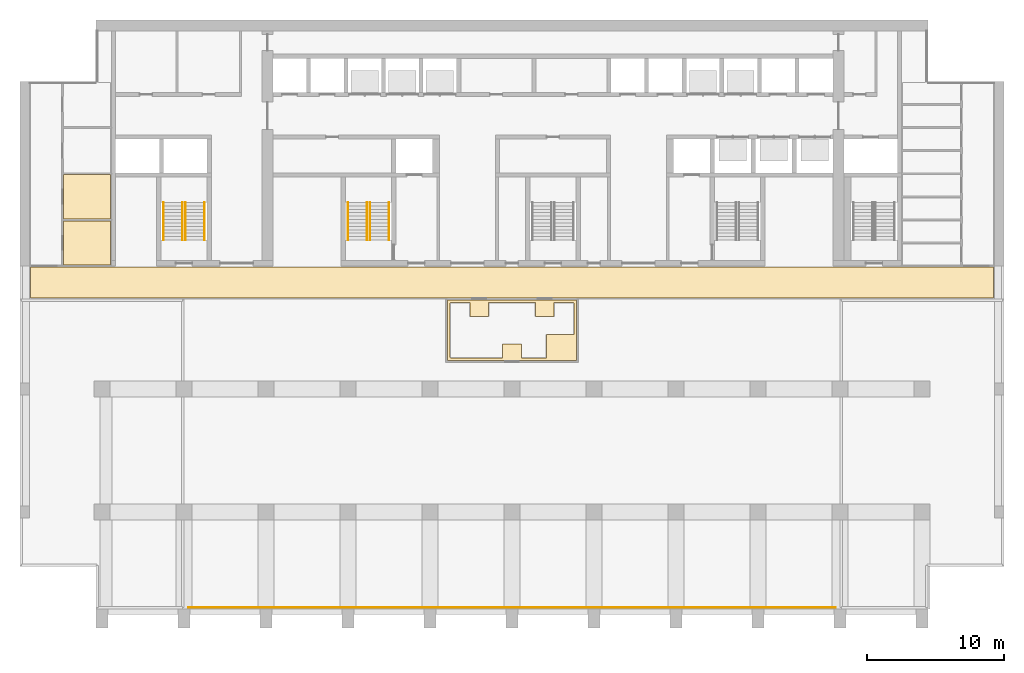
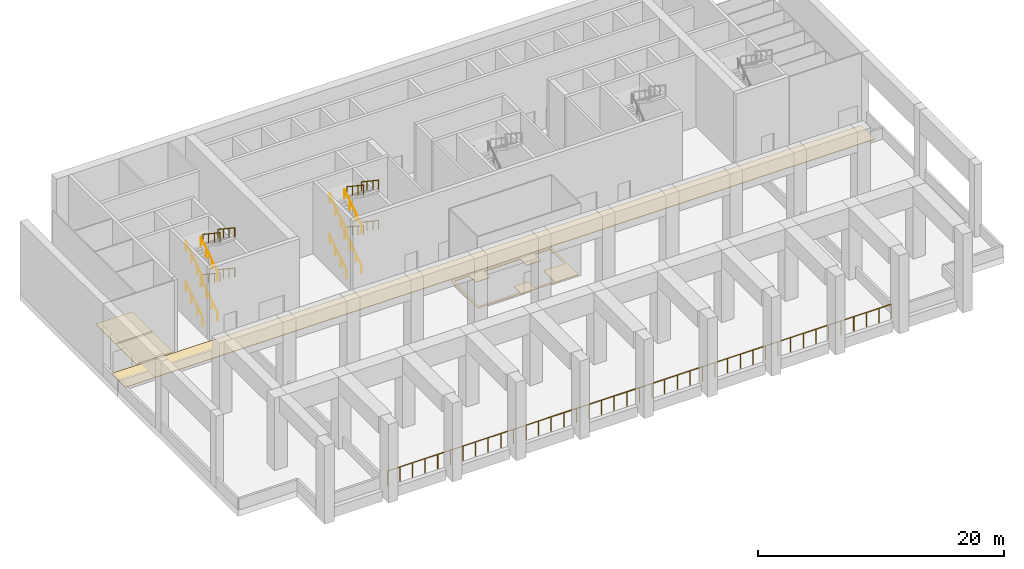
# One storey, part 7 of 10: 17 railings, 4 coverings, 2 elements without a shape of their own.
"""IFC4 building model written with IfcOpenShell, lengths in metres."""

from ifc_helpers import new_model, si_unit, direction, frame, origin, origin_2d, place, context, subcontext, project, spatial, polyline, circle, outline, extrude, material, layer, layer_set, type_object, element, aggregate, save


model = new_model("IFC4")

# Units and contexts
model_context = context("Model", 3, precision=1e-05, world=origin(), true_north=direction((0.0, 1.0)))
body_context = subcontext(model_context, "Body", "Model", "MODEL_VIEW")
ifc_project = project(units=[si_unit("LENGTHUNIT", "METRE"), si_unit("AREAUNIT", "SQUARE_METRE"), si_unit("VOLUMEUNIT", "CUBIC_METRE"), si_unit("PLANEANGLEUNIT", "RADIAN"), si_unit("MASSUNIT", "GRAM", prefix="KILO")], contexts=[model_context])

# Site, building, storey
site_placement = place(None, origin())
site = spatial("IfcSite", under=ifc_project, at=site_placement, CompositionType="ELEMENT")
building_placement = place(site_placement, origin())
building = spatial("IfcBuilding", under=site, at=building_placement, Name="Calvaro Tower", CompositionType="ELEMENT")
storey_placement = place(building_placement, frame((0.0, 0.0, 158.75)))
storey = spatial("IfcBuildingStorey", under=building, at=storey_placement, Name="L40", CompositionType="ELEMENT", Elevation=158.75)

# Coverings
ifc_material_1 = material(Name="Cement screed with carpet tile finish")
ifc_layer = layer(ifc_material_1, 0.050048828125)
ifc_layer_set = layer_set([ifc_layer], Name="Cement screed with carpet tile finish")
covering_type = type_object("IfcCoveringType", Name="Floor finish 50", PredefinedType="FLOORING", material=ifc_layer_set)
covering_1_placement = place(storey_placement, origin())
element("IfcCovering", 1, at=covering_1_placement, inside=storey, type_object=covering_type, Name="Floor finish 24.01", PredefinedType="FLOORING", context=body_context, shape_type="SweptSolid", body=[
    extrude(outline(polyline([(0.77001953125, 25.669921875), (0.77001953125, 27.929931640625), (71.22998046875, 27.929931640625), (71.22998046875, 25.669921875), (0.77001953125, 25.669921875)])), origin(), (0.0, 0.0, 1.0), 0.050048828125),
])
covering_2_placement = place(storey_placement, origin())
element("IfcCovering", 2, at=covering_2_placement, inside=storey, type_object=covering_type, Name="Floor finish 24.09", PredefinedType="FLOORING", context=body_context, shape_type="SweptSolid", body=[
    extrude(outline(polyline([(31.27001953125, 25.530029296875), (40.72998046875, 25.530029296875), (40.72998046875, 21.070068359375), (31.27001953125, 21.070068359375), (31.27001953125, 25.530029296875)]), holes=[polyline([(31.5, 25.320068359375), (31.498046875, 25.31982421875), (31.49609375, 25.319580078125), (31.494140625, 25.319091796875), (31.4921875, 25.318603515625), (31.490478515625, 25.317626953125), (31.489013671875, 25.316650390625), (31.4873046875, 25.3154296875), (31.48583984375, 25.314208984375), (31.484619140625, 25.312744140625), (31.4833984375, 25.31103515625), (31.482421875, 25.309326171875), (31.4814453125, 25.3076171875), (31.48095703125, 25.305908203125), (31.48046875, 25.303955078125), (31.47998046875, 25.302001953125), (31.47998046875, 25.300048828125), (31.47998046875, 21.300048828125), (31.47998046875, 21.298095703125), (31.48046875, 21.296142578125), (31.48095703125, 21.294189453125), (31.4814453125, 21.292236328125), (31.482421875, 21.29052734375), (31.4833984375, 21.288818359375), (31.484619140625, 21.287353515625), (31.48583984375, 21.285888671875), (31.4873046875, 21.284423828125), (31.489013671875, 21.283447265625), (31.490478515625, 21.282470703125), (31.4921875, 21.281494140625), (31.494140625, 21.281005859375), (31.49609375, 21.280517578125), (31.498046875, 21.280029296875), (31.5, 21.280029296875), (35.300048828125, 21.280029296875), (35.302001953125, 21.280029296875), (35.303955078125, 21.280517578125), (35.305908203125, 21.281005859375), (35.3076171875, 21.281494140625), (35.309326171875, 21.282470703125), (35.31103515625, 21.283447265625), (35.312744140625, 21.284423828125), (35.314208984375, 21.285888671875), (35.3154296875, 21.287353515625), (35.316650390625, 21.288818359375), (35.317626953125, 21.29052734375), (35.318603515625, 21.292236328125), (35.319091796875, 21.294189453125), (35.319580078125, 21.296142578125), (35.31982421875, 21.298095703125), (35.320068359375, 21.300048828125), (35.320068359375, 22.280029296875), (36.679931640625, 22.280029296875), (36.679931640625, 21.300048828125), (36.68017578125, 21.298095703125), (36.680419921875, 21.296142578125), (36.680908203125, 21.294189453125), (36.681396484375, 21.292236328125), (36.682373046875, 21.29052734375), (36.683349609375, 21.288818359375), (36.6845703125, 21.287353515625), (36.685791015625, 21.285888671875), (36.687255859375, 21.284423828125), (36.68896484375, 21.283447265625), (36.690673828125, 21.282470703125), (36.6923828125, 21.281494140625), (36.694091796875, 21.281005859375), (36.696044921875, 21.280517578125), (36.697998046875, 21.280029296875), (36.699951171875, 21.280029296875), (38.5, 21.280029296875), (38.501953125, 21.280029296875), (38.50390625, 21.280517578125), (38.505859375, 21.281005859375), (38.5078125, 21.281494140625), (38.509521484375, 21.282470703125), (38.510986328125, 21.283447265625), (38.5126953125, 21.284423828125), (38.51416015625, 21.285888671875), (38.515380859375, 21.287353515625), (38.5166015625, 21.288818359375), (38.517578125, 21.29052734375), (38.5185546875, 21.292236328125), (38.51904296875, 21.294189453125), (38.51953125, 21.296142578125), (38.52001953125, 21.298095703125), (38.52001953125, 21.300048828125), (38.52001953125, 22.97998046875), (40.5, 22.97998046875), (40.501953125, 22.97998046875), (40.50390625, 22.98046875), (40.505859375, 22.98095703125), (40.5078125, 22.9814453125), (40.509521484375, 22.982421875), (40.510986328125, 22.9833984375), (40.5126953125, 22.984619140625), (40.51416015625, 22.98583984375), (40.515380859375, 22.9873046875), (40.5166015625, 22.989013671875), (40.517578125, 22.990478515625), (40.5185546875, 22.9921875), (40.51904296875, 22.994140625), (40.51953125, 22.99609375), (40.52001953125, 22.998046875), (40.52001953125, 23.0), (40.52001953125, 25.300048828125), (40.52001953125, 25.302001953125), (40.51953125, 25.303955078125), (40.51904296875, 25.305908203125), (40.5185546875, 25.3076171875), (40.517578125, 25.309326171875), (40.5166015625, 25.31103515625), (40.515380859375, 25.312744140625), (40.51416015625, 25.314208984375), (40.5126953125, 25.3154296875), (40.510986328125, 25.316650390625), (40.509521484375, 25.317626953125), (40.5078125, 25.318603515625), (40.505859375, 25.319091796875), (40.50390625, 25.319580078125), (40.501953125, 25.31982421875), (40.5, 25.320068359375), (39.10009765625, 25.320068359375), (39.097900390625, 25.31982421875), (39.09619140625, 25.319580078125), (39.09423828125, 25.319091796875), (39.09228515625, 25.318603515625), (39.090576171875, 25.317626953125), (39.0888671875, 25.316650390625), (39.08740234375, 25.3154296875), (39.0859375, 25.314208984375), (39.08447265625, 25.312744140625), (39.08349609375, 25.31103515625), (39.08251953125, 25.309326171875), (39.08154296875, 25.3076171875), (39.080810546875, 25.305908203125), (39.080322265625, 25.303955078125), (39.080078125, 25.302001953125), (39.080078125, 25.300048828125), (39.080078125, 24.320068359375), (37.719970703125, 24.320068359375), (37.719970703125, 25.300048828125), (37.719970703125, 25.302001953125), (37.719482421875, 25.303955078125), (37.718994140625, 25.305908203125), (37.718505859375, 25.3076171875), (37.717529296875, 25.309326171875), (37.716552734375, 25.31103515625), (37.715576171875, 25.312744140625), (37.714111328125, 25.314208984375), (37.712646484375, 25.3154296875), (37.711181640625, 25.316650390625), (37.70947265625, 25.317626953125), (37.707763671875, 25.318603515625), (37.705810546875, 25.319091796875), (37.703857421875, 25.319580078125), (37.701904296875, 25.31982421875), (37.699951171875, 25.320068359375), (34.300048828125, 25.320068359375), (34.298095703125, 25.31982421875), (34.296142578125, 25.319580078125), (34.294189453125, 25.319091796875), (34.292236328125, 25.318603515625), (34.29052734375, 25.317626953125), (34.288818359375, 25.316650390625), (34.287353515625, 25.3154296875), (34.285888671875, 25.314208984375), (34.284423828125, 25.312744140625), (34.283447265625, 25.31103515625), (34.282470703125, 25.309326171875), (34.281494140625, 25.3076171875), (34.281005859375, 25.305908203125), (34.280517578125, 25.303955078125), (34.280029296875, 25.302001953125), (34.280029296875, 25.300048828125), (34.280029296875, 24.320068359375), (32.919921875, 24.320068359375), (32.919921875, 25.300048828125), (32.919921875, 25.302001953125), (32.919677734375, 25.303955078125), (32.919189453125, 25.305908203125), (32.91845703125, 25.3076171875), (32.91748046875, 25.309326171875), (32.91650390625, 25.31103515625), (32.91552734375, 25.312744140625), (32.9140625, 25.314208984375), (32.91259765625, 25.3154296875), (32.9111328125, 25.316650390625), (32.909423828125, 25.317626953125), (32.90771484375, 25.318603515625), (32.90576171875, 25.319091796875), (32.90380859375, 25.319580078125), (32.902099609375, 25.31982421875), (32.89990234375, 25.320068359375), (31.5, 25.320068359375)])]), origin(), (0.0, 0.0, 1.0), 0.050048828125),
])
covering_3_placement = place(storey_placement, origin())
element("IfcCovering", 3, at=covering_3_placement, inside=storey, type_object=covering_type, Name="Floor finish 24.11", PredefinedType="FLOORING", context=body_context, shape_type="SweptSolid", body=[
    extrude(outline(polyline([(3.169921875, 31.31005859375), (6.6298828125, 31.31005859375), (6.6298828125, 28.070068359375), (3.169921875, 28.070068359375), (3.169921875, 31.31005859375)])), origin(), (0.0, 0.0, 1.0), 0.050048828125),
])
covering_4_placement = place(storey_placement, origin())
element("IfcCovering", 4, at=covering_4_placement, inside=storey, type_object=covering_type, Name="Floor finish 24.14", PredefinedType="FLOORING", context=body_context, shape_type="SweptSolid", body=[
    extrude(outline(polyline([(3.169921875, 34.679931640625), (6.6298828125, 34.679931640625), (6.6298828125, 31.449951171875), (3.169921875, 31.449951171875), (3.169921875, 34.679931640625)])), origin(), (0.0, 0.0, 1.0), 0.050048828125),
])

# Railing
ifc_material_2 = material(Name="Stainless steel", Category="steel")
railing_type_1 = type_object("IfcRailingType", Name="Guard 1450", PredefinedType="GUARDRAIL", material=ifc_material_2)
railing_1_placement = place(storey_placement, frame((59.699951171875, 3.0, 0.0)))
element("IfcRailing", 5, at=railing_1_placement, inside=storey, type_object=railing_type_1, Name="Edge guard", PredefinedType="GUARDRAIL", context=body_context, shape_type="SweptSolid", body=[
    extrude(circle(Radius=0.02392578125, at=origin_2d()), frame((0.0, 0.0, 1.42578125), z_axis=(-1.0, 0.0, 0.0), x_axis=(0.0, -1.0, 0.0)), (0.0, 0.0, 1.0), 47.39990234375),
    extrude(circle(Radius=0.02099609375, at=origin_2d()), frame((-0.02099609375, 0.0, 0.0)), (0.0, 0.0, 1.0), 1.40185546875),
    extrude(circle(Radius=0.02099609375, at=origin_2d()), frame((-1.18505859375, 0.0, 0.0)), (0.0, 0.0, 1.0), 1.40185546875),
    extrude(circle(Radius=0.02099609375, at=origin_2d()), frame((-2.3701171875, 0.0, 0.0)), (0.0, 0.0, 1.0), 1.40185546875),
    extrude(circle(Radius=0.02099609375, at=origin_2d()), frame((-3.554931640625, 0.0, 0.0)), (0.0, 0.0, 1.0), 1.40185546875),
    extrude(circle(Radius=0.02099609375, at=origin_2d()), frame((-4.739990234375, 0.0, 0.0)), (0.0, 0.0, 1.0), 1.40185546875),
    extrude(circle(Radius=0.02099609375, at=origin_2d()), frame((-5.925048828125, 0.0, 0.0)), (0.0, 0.0, 1.0), 1.40185546875),
    extrude(circle(Radius=0.02099609375, at=origin_2d()), frame((-7.10986328125, 0.0, 0.0)), (0.0, 0.0, 1.0), 1.40185546875),
    extrude(circle(Radius=0.02099609375, at=origin_2d()), frame((-8.294921875, 0.0, 0.0)), (0.0, 0.0, 1.0), 1.40185546875),
    extrude(circle(Radius=0.02099609375, at=origin_2d()), frame((-9.47998046875, 0.0, 0.0)), (0.0, 0.0, 1.0), 1.40185546875),
    extrude(circle(Radius=0.02099609375, at=origin_2d()), frame((-10.6650390625, 0.0, 0.0)), (0.0, 0.0, 1.0), 1.40185546875),
    extrude(circle(Radius=0.02099609375, at=origin_2d()), frame((-11.85009765625, 0.0, 0.0)), (0.0, 0.0, 1.0), 1.40185546875),
    extrude(circle(Radius=0.02099609375, at=origin_2d()), frame((-13.034912109375, 0.0, 0.0)), (0.0, 0.0, 1.0), 1.40185546875),
    extrude(circle(Radius=0.02099609375, at=origin_2d()), frame((-14.219970703125, 0.0, 0.0)), (0.0, 0.0, 1.0), 1.40185546875),
    extrude(circle(Radius=0.02099609375, at=origin_2d()), frame((-15.405029296875, 0.0, 0.0)), (0.0, 0.0, 1.0), 1.40185546875),
    extrude(circle(Radius=0.02099609375, at=origin_2d()), frame((-16.58984375, 0.0, 0.0)), (0.0, 0.0, 1.0), 1.40185546875),
    extrude(circle(Radius=0.02099609375, at=origin_2d()), frame((-17.77490234375, 0.0, 0.0)), (0.0, 0.0, 1.0), 1.40185546875),
    extrude(circle(Radius=0.02099609375, at=origin_2d()), frame((-18.9599609375, 0.0, 0.0)), (0.0, 0.0, 1.0), 1.40185546875),
    extrude(circle(Radius=0.02099609375, at=origin_2d()), frame((-20.14501953125, 0.0, 0.0)), (0.0, 0.0, 1.0), 1.40185546875),
    extrude(circle(Radius=0.02099609375, at=origin_2d()), frame((-21.330078125, 0.0, 0.0)), (0.0, 0.0, 1.0), 1.40185546875),
    extrude(circle(Radius=0.02099609375, at=origin_2d()), frame((-22.514892578125, 0.0, 0.0)), (0.0, 0.0, 1.0), 1.40185546875),
    extrude(circle(Radius=0.02099609375, at=origin_2d()), frame((-23.699951171875, 0.0, 0.0)), (0.0, 0.0, 1.0), 1.40185546875),
    extrude(circle(Radius=0.02099609375, at=origin_2d()), frame((-24.885009765625, 0.0, 0.0)), (0.0, 0.0, 1.0), 1.40185546875),
    extrude(circle(Radius=0.02099609375, at=origin_2d()), frame((-26.070068359375, 0.0, 0.0)), (0.0, 0.0, 1.0), 1.40185546875),
    extrude(circle(Radius=0.02099609375, at=origin_2d()), frame((-27.2548828125, 0.0, 0.0)), (0.0, 0.0, 1.0), 1.40185546875),
    extrude(circle(Radius=0.02099609375, at=origin_2d()), frame((-28.43994140625, 0.0, 0.0)), (0.0, 0.0, 1.0), 1.40185546875),
    extrude(circle(Radius=0.02099609375, at=origin_2d()), frame((-29.625, 0.0, 0.0)), (0.0, 0.0, 1.0), 1.40185546875),
    extrude(circle(Radius=0.02099609375, at=origin_2d()), frame((-30.81005859375, 0.0, 0.0)), (0.0, 0.0, 1.0), 1.40185546875),
    extrude(circle(Radius=0.02099609375, at=origin_2d()), frame((-31.994873046875, 0.0, 0.0)), (0.0, 0.0, 1.0), 1.40185546875),
    extrude(circle(Radius=0.02099609375, at=origin_2d()), frame((-33.179931640625, 0.0, 0.0)), (0.0, 0.0, 1.0), 1.40185546875),
    extrude(circle(Radius=0.02099609375, at=origin_2d()), frame((-34.364990234375, 0.0, 0.0)), (0.0, 0.0, 1.0), 1.40185546875),
    extrude(circle(Radius=0.02099609375, at=origin_2d()), frame((-35.5498046875, 0.0, 0.0)), (0.0, 0.0, 1.0), 1.40185546875),
    extrude(circle(Radius=0.02099609375, at=origin_2d()), frame((-36.73486328125, 0.0, 0.0)), (0.0, 0.0, 1.0), 1.40185546875),
    extrude(circle(Radius=0.02099609375, at=origin_2d()), frame((-37.919921875, 0.0, 0.0)), (0.0, 0.0, 1.0), 1.40185546875),
    extrude(circle(Radius=0.02099609375, at=origin_2d()), frame((-39.10498046875, 0.0, 0.0)), (0.0, 0.0, 1.0), 1.40185546875),
    extrude(circle(Radius=0.02099609375, at=origin_2d()), frame((-40.2900390625, 0.0, 0.0)), (0.0, 0.0, 1.0), 1.40185546875),
    extrude(circle(Radius=0.02099609375, at=origin_2d()), frame((-41.474853515625, 0.0, 0.0)), (0.0, 0.0, 1.0), 1.40185546875),
    extrude(circle(Radius=0.02099609375, at=origin_2d()), frame((-42.659912109375, 0.0, 0.0)), (0.0, 0.0, 1.0), 1.40185546875),
    extrude(circle(Radius=0.02099609375, at=origin_2d()), frame((-43.844970703125, 0.0, 0.0)), (0.0, 0.0, 1.0), 1.40185546875),
    extrude(circle(Radius=0.02099609375, at=origin_2d()), frame((-45.02978515625, 0.0, 0.0)), (0.0, 0.0, 1.0), 1.40185546875),
    extrude(circle(Radius=0.02099609375, at=origin_2d()), frame((-46.21484375, 0.0, 0.0)), (0.0, 0.0, 1.0), 1.40185546875),
    extrude(circle(Radius=0.02099609375, at=origin_2d()), frame((-47.37890625, 0.0, 0.0)), (0.0, 0.0, 1.0), 1.40185546875),
])

# Stair, railings
ifc_material_3 = material(Name="Concrete C40/50", Category="concrete")
stair_type = type_object("IfcStairType", Name="Exit stair 1400 4 flights", PredefinedType="DOUBLE_RETURN_STAIR", material=ifc_material_3)
stair_1_placement = place(storey_placement, origin())
stair_1 = element("IfcStair", 6, at=stair_1_placement, inside=storey, type_object=stair_type, Name="Exit stair S1", PredefinedType="DOUBLE_RETURN_STAIR")
ifc_material_4 = material(Name="Stainless steel", Category="steel")
railing_type_2 = type_object("IfcRailingType", Name="Stair handrail", PredefinedType="HANDRAIL", material=ifc_material_4)
railing_2_placement = place(storey_placement, frame((11.89990234375, 29.89990234375, 0.166748046875)))
railing_2 = element("IfcRailing", 7, at=railing_2_placement, type_object=railing_type_2, Name="Exit stair 1 handrail", PredefinedType="HANDRAIL", context=body_context, shape_type="SweptSolid", body=[
    extrude(circle(Radius=0.02392578125, at=origin_2d()), frame((0.0, 0.0, 0.8759765625), z_axis=(0.0, 0.832061658642, 0.554683149391), x_axis=(-1.0, 0.0, 0.0)), (0.0, 0.0, 1.0), 3.304931640625),
    extrude(circle(Radius=0.02099609375, at=origin_2d()), frame((0.0, 0.017578125, 0.01171875)), (0.0, 0.0, 1.0), 0.851806640625),
    extrude(circle(Radius=0.02099609375, at=origin_2d()), frame((0.0, 0.916748046875, 0.611083984375)), (0.0, 0.0, 1.0), 0.851806640625),
    extrude(circle(Radius=0.02099609375, at=origin_2d()), frame((0.0, 1.833251953125, 1.22216796875)), (0.0, 0.0, 1.0), 0.851806640625),
    extrude(circle(Radius=0.02099609375, at=origin_2d()), frame((0.0, 2.732421875, 1.821533203125)), (0.0, 0.0, 1.0), 0.851806640625),
])
railing_3_placement = place(storey_placement, frame((10.5, 29.89990234375, 0.166748046875)))
railing_3 = element("IfcRailing", 8, at=railing_3_placement, type_object=railing_type_2, Name="Exit stair 1 handrail", PredefinedType="HANDRAIL", context=body_context, shape_type="SweptSolid", body=[
    extrude(circle(Radius=0.02392578125, at=origin_2d()), frame((0.0, 0.0, 0.8759765625), z_axis=(0.0, 0.832061658642, 0.554683149391), x_axis=(-1.0, 0.0, 0.0)), (0.0, 0.0, 1.0), 3.304931640625),
    extrude(circle(Radius=0.02099609375, at=origin_2d()), frame((0.0, 0.017578125, 0.01171875)), (0.0, 0.0, 1.0), 0.851806640625),
    extrude(circle(Radius=0.02099609375, at=origin_2d()), frame((0.0, 0.916748046875, 0.611083984375)), (0.0, 0.0, 1.0), 0.851806640625),
    extrude(circle(Radius=0.02099609375, at=origin_2d()), frame((0.0, 1.833251953125, 1.22216796875)), (0.0, 0.0, 1.0), 0.851806640625),
    extrude(circle(Radius=0.02099609375, at=origin_2d()), frame((0.0, 2.732421875, 1.821533203125)), (0.0, 0.0, 1.0), 0.851806640625),
])
railing_4_placement = place(storey_placement, frame((12.10009765625, 32.64990234375, 2.166748046875)))
railing_4 = element("IfcRailing", 9, at=railing_4_placement, type_object=railing_type_2, Name="Exit stair 1 handrail", PredefinedType="HANDRAIL", context=body_context, shape_type="SweptSolid", body=[
    extrude(circle(Radius=0.02392578125, at=origin_2d()), frame((0.0, 0.0, 0.8759765625), z_axis=(0.0, -0.832061658642, 0.554683149391), x_axis=(1.0, 0.0, 0.0)), (0.0, 0.0, 1.0), 3.304931640625),
    extrude(circle(Radius=0.02099609375, at=origin_2d()), frame((0.0, -0.017578125, 0.01171875)), (0.0, 0.0, 1.0), 0.851806640625),
    extrude(circle(Radius=0.02099609375, at=origin_2d()), frame((0.0, -0.916748046875, 0.611083984375)), (0.0, 0.0, 1.0), 0.851806640625),
    extrude(circle(Radius=0.02099609375, at=origin_2d()), frame((0.0, -1.833251953125, 1.22216796875)), (0.0, 0.0, 1.0), 0.851806640625),
    extrude(circle(Radius=0.02099609375, at=origin_2d()), frame((0.0, -2.732421875, 1.821533203125)), (0.0, 0.0, 1.0), 0.851806640625),
])
railing_5_placement = place(storey_placement, frame((13.5, 32.64990234375, 2.166748046875)))
railing_5 = element("IfcRailing", 10, at=railing_5_placement, type_object=railing_type_2, Name="Exit stair 1 handrail", PredefinedType="HANDRAIL", context=body_context, shape_type="SweptSolid", body=[
    extrude(circle(Radius=0.02392578125, at=origin_2d()), frame((0.0, 0.0, 0.8759765625), z_axis=(0.0, -0.832061658642, 0.554683149391), x_axis=(1.0, 0.0, 0.0)), (0.0, 0.0, 1.0), 3.304931640625),
    extrude(circle(Radius=0.02099609375, at=origin_2d()), frame((0.0, -0.017578125, 0.01171875)), (0.0, 0.0, 1.0), 0.851806640625),
    extrude(circle(Radius=0.02099609375, at=origin_2d()), frame((0.0, -0.916748046875, 0.611083984375)), (0.0, 0.0, 1.0), 0.851806640625),
    extrude(circle(Radius=0.02099609375, at=origin_2d()), frame((0.0, -1.833251953125, 1.22216796875)), (0.0, 0.0, 1.0), 0.851806640625),
    extrude(circle(Radius=0.02099609375, at=origin_2d()), frame((0.0, -2.732421875, 1.821533203125)), (0.0, 0.0, 1.0), 0.851806640625),
])
railing_6_placement = place(storey_placement, frame((11.89990234375, 29.89990234375, 4.166748046875)))
railing_6 = element("IfcRailing", 11, at=railing_6_placement, type_object=railing_type_2, Name="Exit stair 1 handrail", PredefinedType="HANDRAIL", context=body_context, shape_type="SweptSolid", body=[
    extrude(circle(Radius=0.02392578125, at=origin_2d()), frame((0.0, 0.0, 0.8759765625), z_axis=(0.0, 0.832061658642, 0.554683149391), x_axis=(-1.0, 0.0, 0.0)), (0.0, 0.0, 1.0), 3.304931640625),
    extrude(circle(Radius=0.02099609375, at=origin_2d()), frame((0.0, 0.017578125, 0.01171875)), (0.0, 0.0, 1.0), 0.851806640625),
    extrude(circle(Radius=0.02099609375, at=origin_2d()), frame((0.0, 0.916748046875, 0.611083984375)), (0.0, 0.0, 1.0), 0.851806640625),
    extrude(circle(Radius=0.02099609375, at=origin_2d()), frame((0.0, 1.833251953125, 1.22216796875)), (0.0, 0.0, 1.0), 0.851806640625),
    extrude(circle(Radius=0.02099609375, at=origin_2d()), frame((0.0, 2.732421875, 1.821533203125)), (0.0, 0.0, 1.0), 0.851806640625),
])
railing_7_placement = place(storey_placement, frame((10.5, 29.89990234375, 4.166748046875)))
railing_7 = element("IfcRailing", 12, at=railing_7_placement, type_object=railing_type_2, Name="Exit stair 1 handrail", PredefinedType="HANDRAIL", context=body_context, shape_type="SweptSolid", body=[
    extrude(circle(Radius=0.02392578125, at=origin_2d()), frame((0.0, 0.0, 0.8759765625), z_axis=(0.0, 0.832061658642, 0.554683149391), x_axis=(-1.0, 0.0, 0.0)), (0.0, 0.0, 1.0), 3.304931640625),
    extrude(circle(Radius=0.02099609375, at=origin_2d()), frame((0.0, 0.017578125, 0.01171875)), (0.0, 0.0, 1.0), 0.851806640625),
    extrude(circle(Radius=0.02099609375, at=origin_2d()), frame((0.0, 0.916748046875, 0.611083984375)), (0.0, 0.0, 1.0), 0.851806640625),
    extrude(circle(Radius=0.02099609375, at=origin_2d()), frame((0.0, 1.833251953125, 1.22216796875)), (0.0, 0.0, 1.0), 0.851806640625),
    extrude(circle(Radius=0.02099609375, at=origin_2d()), frame((0.0, 2.732421875, 1.821533203125)), (0.0, 0.0, 1.0), 0.851806640625),
])
railing_8_placement = place(storey_placement, frame((12.10009765625, 32.64990234375, 6.166748046875)))
railing_8 = element("IfcRailing", 13, at=railing_8_placement, type_object=railing_type_2, Name="Exit stair 1 handrail", PredefinedType="HANDRAIL", context=body_context, shape_type="SweptSolid", body=[
    extrude(circle(Radius=0.02392578125, at=origin_2d()), frame((0.0, 0.0, 0.8759765625), z_axis=(0.0, -0.832061658642, 0.554683149391), x_axis=(1.0, 0.0, 0.0)), (0.0, 0.0, 1.0), 3.304931640625),
    extrude(circle(Radius=0.02099609375, at=origin_2d()), frame((0.0, -0.017578125, 0.01171875)), (0.0, 0.0, 1.0), 0.851806640625),
    extrude(circle(Radius=0.02099609375, at=origin_2d()), frame((0.0, -0.916748046875, 0.611083984375)), (0.0, 0.0, 1.0), 0.851806640625),
    extrude(circle(Radius=0.02099609375, at=origin_2d()), frame((0.0, -1.833251953125, 1.22216796875)), (0.0, 0.0, 1.0), 0.851806640625),
    extrude(circle(Radius=0.02099609375, at=origin_2d()), frame((0.0, -2.732421875, 1.821533203125)), (0.0, 0.0, 1.0), 0.851806640625),
])
railing_9_placement = place(storey_placement, frame((13.5, 32.64990234375, 6.166748046875)))
railing_9 = element("IfcRailing", 14, at=railing_9_placement, type_object=railing_type_2, Name="Exit stair 1 handrail", PredefinedType="HANDRAIL", context=body_context, shape_type="SweptSolid", body=[
    extrude(circle(Radius=0.02392578125, at=origin_2d()), frame((0.0, 0.0, 0.8759765625), z_axis=(0.0, -0.832061658642, 0.554683149391), x_axis=(1.0, 0.0, 0.0)), (0.0, 0.0, 1.0), 3.304931640625),
    extrude(circle(Radius=0.02099609375, at=origin_2d()), frame((0.0, -0.017578125, 0.01171875)), (0.0, 0.0, 1.0), 0.851806640625),
    extrude(circle(Radius=0.02099609375, at=origin_2d()), frame((0.0, -0.916748046875, 0.611083984375)), (0.0, 0.0, 1.0), 0.851806640625),
    extrude(circle(Radius=0.02099609375, at=origin_2d()), frame((0.0, -1.833251953125, 1.22216796875)), (0.0, 0.0, 1.0), 0.851806640625),
    extrude(circle(Radius=0.02099609375, at=origin_2d()), frame((0.0, -2.732421875, 1.821533203125)), (0.0, 0.0, 1.0), 0.851806640625),
])
aggregate(stair_1, [railing_2, railing_3, railing_4, railing_5, railing_6, railing_7, railing_8, railing_9])

stair_2_placement = place(storey_placement, origin())
stair_2 = element("IfcStair", 15, at=stair_2_placement, inside=storey, type_object=stair_type, Name="Exit stair S2", PredefinedType="DOUBLE_RETURN_STAIR")
railing_10_placement = place(storey_placement, frame((25.39990234375, 29.89990234375, 0.166748046875)))
railing_10 = element("IfcRailing", 16, at=railing_10_placement, type_object=railing_type_2, Name="Exit stair 2 handrail", PredefinedType="HANDRAIL", context=body_context, shape_type="SweptSolid", body=[
    extrude(circle(Radius=0.02392578125, at=origin_2d()), frame((0.0, 0.0, 0.8759765625), z_axis=(0.0, 0.832061658642, 0.554683149391), x_axis=(-1.0, 0.0, 0.0)), (0.0, 0.0, 1.0), 3.304931640625),
    extrude(circle(Radius=0.02099609375, at=origin_2d()), frame((0.0, 0.017578125, 0.01171875)), (0.0, 0.0, 1.0), 0.851806640625),
    extrude(circle(Radius=0.02099609375, at=origin_2d()), frame((0.0, 0.916748046875, 0.611083984375)), (0.0, 0.0, 1.0), 0.851806640625),
    extrude(circle(Radius=0.02099609375, at=origin_2d()), frame((0.0, 1.833251953125, 1.22216796875)), (0.0, 0.0, 1.0), 0.851806640625),
    extrude(circle(Radius=0.02099609375, at=origin_2d()), frame((0.0, 2.732421875, 1.821533203125)), (0.0, 0.0, 1.0), 0.851806640625),
])
railing_11_placement = place(storey_placement, frame((24.0, 29.89990234375, 0.166748046875)))
railing_11 = element("IfcRailing", 17, at=railing_11_placement, type_object=railing_type_2, Name="Exit stair 2 handrail", PredefinedType="HANDRAIL", context=body_context, shape_type="SweptSolid", body=[
    extrude(circle(Radius=0.02392578125, at=origin_2d()), frame((0.0, 0.0, 0.8759765625), z_axis=(0.0, 0.832061658642, 0.554683149391), x_axis=(-1.0, 0.0, 0.0)), (0.0, 0.0, 1.0), 3.304931640625),
    extrude(circle(Radius=0.02099609375, at=origin_2d()), frame((0.0, 0.017578125, 0.01171875)), (0.0, 0.0, 1.0), 0.851806640625),
    extrude(circle(Radius=0.02099609375, at=origin_2d()), frame((0.0, 0.916748046875, 0.611083984375)), (0.0, 0.0, 1.0), 0.851806640625),
    extrude(circle(Radius=0.02099609375, at=origin_2d()), frame((0.0, 1.833251953125, 1.22216796875)), (0.0, 0.0, 1.0), 0.851806640625),
    extrude(circle(Radius=0.02099609375, at=origin_2d()), frame((0.0, 2.732421875, 1.821533203125)), (0.0, 0.0, 1.0), 0.851806640625),
])
railing_12_placement = place(storey_placement, frame((25.60009765625, 32.64990234375, 2.166748046875)))
railing_12 = element("IfcRailing", 18, at=railing_12_placement, type_object=railing_type_2, Name="Exit stair 2 handrail", PredefinedType="HANDRAIL", context=body_context, shape_type="SweptSolid", body=[
    extrude(circle(Radius=0.02392578125, at=origin_2d()), frame((0.0, 0.0, 0.8759765625), z_axis=(0.0, -0.832061658642, 0.554683149391), x_axis=(1.0, 0.0, 0.0)), (0.0, 0.0, 1.0), 3.304931640625),
    extrude(circle(Radius=0.02099609375, at=origin_2d()), frame((0.0, -0.017578125, 0.01171875)), (0.0, 0.0, 1.0), 0.851806640625),
    extrude(circle(Radius=0.02099609375, at=origin_2d()), frame((0.0, -0.916748046875, 0.611083984375)), (0.0, 0.0, 1.0), 0.851806640625),
    extrude(circle(Radius=0.02099609375, at=origin_2d()), frame((0.0, -1.833251953125, 1.22216796875)), (0.0, 0.0, 1.0), 0.851806640625),
    extrude(circle(Radius=0.02099609375, at=origin_2d()), frame((0.0, -2.732421875, 1.821533203125)), (0.0, 0.0, 1.0), 0.851806640625),
])
railing_13_placement = place(storey_placement, frame((27.0, 32.64990234375, 2.166748046875)))
railing_13 = element("IfcRailing", 19, at=railing_13_placement, type_object=railing_type_2, Name="Exit stair 2 handrail", PredefinedType="HANDRAIL", context=body_context, shape_type="SweptSolid", body=[
    extrude(circle(Radius=0.02392578125, at=origin_2d()), frame((0.0, 0.0, 0.8759765625), z_axis=(0.0, -0.832061658642, 0.554683149391), x_axis=(1.0, 0.0, 0.0)), (0.0, 0.0, 1.0), 3.304931640625),
    extrude(circle(Radius=0.02099609375, at=origin_2d()), frame((0.0, -0.017578125, 0.01171875)), (0.0, 0.0, 1.0), 0.851806640625),
    extrude(circle(Radius=0.02099609375, at=origin_2d()), frame((0.0, -0.916748046875, 0.611083984375)), (0.0, 0.0, 1.0), 0.851806640625),
    extrude(circle(Radius=0.02099609375, at=origin_2d()), frame((0.0, -1.833251953125, 1.22216796875)), (0.0, 0.0, 1.0), 0.851806640625),
    extrude(circle(Radius=0.02099609375, at=origin_2d()), frame((0.0, -2.732421875, 1.821533203125)), (0.0, 0.0, 1.0), 0.851806640625),
])
railing_14_placement = place(storey_placement, frame((25.39990234375, 29.89990234375, 4.166748046875)))
railing_14 = element("IfcRailing", 20, at=railing_14_placement, type_object=railing_type_2, Name="Exit stair 2 handrail", PredefinedType="HANDRAIL", context=body_context, shape_type="SweptSolid", body=[
    extrude(circle(Radius=0.02392578125, at=origin_2d()), frame((0.0, 0.0, 0.8759765625), z_axis=(0.0, 0.832061658642, 0.554683149391), x_axis=(-1.0, 0.0, 0.0)), (0.0, 0.0, 1.0), 3.304931640625),
    extrude(circle(Radius=0.02099609375, at=origin_2d()), frame((0.0, 0.017578125, 0.01171875)), (0.0, 0.0, 1.0), 0.851806640625),
    extrude(circle(Radius=0.02099609375, at=origin_2d()), frame((0.0, 0.916748046875, 0.611083984375)), (0.0, 0.0, 1.0), 0.851806640625),
    extrude(circle(Radius=0.02099609375, at=origin_2d()), frame((0.0, 1.833251953125, 1.22216796875)), (0.0, 0.0, 1.0), 0.851806640625),
    extrude(circle(Radius=0.02099609375, at=origin_2d()), frame((0.0, 2.732421875, 1.821533203125)), (0.0, 0.0, 1.0), 0.851806640625),
])
railing_15_placement = place(storey_placement, frame((24.0, 29.89990234375, 4.166748046875)))
railing_15 = element("IfcRailing", 21, at=railing_15_placement, type_object=railing_type_2, Name="Exit stair 2 handrail", PredefinedType="HANDRAIL", context=body_context, shape_type="SweptSolid", body=[
    extrude(circle(Radius=0.02392578125, at=origin_2d()), frame((0.0, 0.0, 0.8759765625), z_axis=(0.0, 0.832061658642, 0.554683149391), x_axis=(-1.0, 0.0, 0.0)), (0.0, 0.0, 1.0), 3.304931640625),
    extrude(circle(Radius=0.02099609375, at=origin_2d()), frame((0.0, 0.017578125, 0.01171875)), (0.0, 0.0, 1.0), 0.851806640625),
    extrude(circle(Radius=0.02099609375, at=origin_2d()), frame((0.0, 0.916748046875, 0.611083984375)), (0.0, 0.0, 1.0), 0.851806640625),
    extrude(circle(Radius=0.02099609375, at=origin_2d()), frame((0.0, 1.833251953125, 1.22216796875)), (0.0, 0.0, 1.0), 0.851806640625),
    extrude(circle(Radius=0.02099609375, at=origin_2d()), frame((0.0, 2.732421875, 1.821533203125)), (0.0, 0.0, 1.0), 0.851806640625),
])
railing_16_placement = place(storey_placement, frame((25.60009765625, 32.64990234375, 6.166748046875)))
railing_16 = element("IfcRailing", 22, at=railing_16_placement, type_object=railing_type_2, Name="Exit stair 2 handrail", PredefinedType="HANDRAIL", context=body_context, shape_type="SweptSolid", body=[
    extrude(circle(Radius=0.02392578125, at=origin_2d()), frame((0.0, 0.0, 0.8759765625), z_axis=(0.0, -0.832061658642, 0.554683149391), x_axis=(1.0, 0.0, 0.0)), (0.0, 0.0, 1.0), 3.304931640625),
    extrude(circle(Radius=0.02099609375, at=origin_2d()), frame((0.0, -0.017578125, 0.01171875)), (0.0, 0.0, 1.0), 0.851806640625),
    extrude(circle(Radius=0.02099609375, at=origin_2d()), frame((0.0, -0.916748046875, 0.611083984375)), (0.0, 0.0, 1.0), 0.851806640625),
    extrude(circle(Radius=0.02099609375, at=origin_2d()), frame((0.0, -1.833251953125, 1.22216796875)), (0.0, 0.0, 1.0), 0.851806640625),
    extrude(circle(Radius=0.02099609375, at=origin_2d()), frame((0.0, -2.732421875, 1.821533203125)), (0.0, 0.0, 1.0), 0.851806640625),
])
railing_17_placement = place(storey_placement, frame((27.0, 32.64990234375, 6.166748046875)))
railing_17 = element("IfcRailing", 23, at=railing_17_placement, type_object=railing_type_2, Name="Exit stair 2 handrail", PredefinedType="HANDRAIL", context=body_context, shape_type="SweptSolid", body=[
    extrude(circle(Radius=0.02392578125, at=origin_2d()), frame((0.0, 0.0, 0.8759765625), z_axis=(0.0, -0.832061658642, 0.554683149391), x_axis=(1.0, 0.0, 0.0)), (0.0, 0.0, 1.0), 3.304931640625),
    extrude(circle(Radius=0.02099609375, at=origin_2d()), frame((0.0, -0.017578125, 0.01171875)), (0.0, 0.0, 1.0), 0.851806640625),
    extrude(circle(Radius=0.02099609375, at=origin_2d()), frame((0.0, -0.916748046875, 0.611083984375)), (0.0, 0.0, 1.0), 0.851806640625),
    extrude(circle(Radius=0.02099609375, at=origin_2d()), frame((0.0, -1.833251953125, 1.22216796875)), (0.0, 0.0, 1.0), 0.851806640625),
    extrude(circle(Radius=0.02099609375, at=origin_2d()), frame((0.0, -2.732421875, 1.821533203125)), (0.0, 0.0, 1.0), 0.851806640625),
])
aggregate(stair_2, [railing_10, railing_11, railing_12, railing_13, railing_14, railing_15, railing_16, railing_17])

save(model, "model.ifc")
